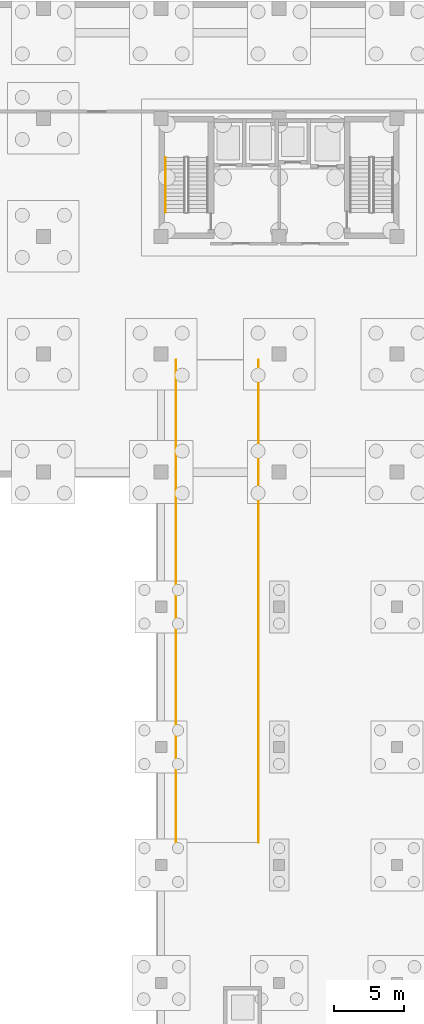
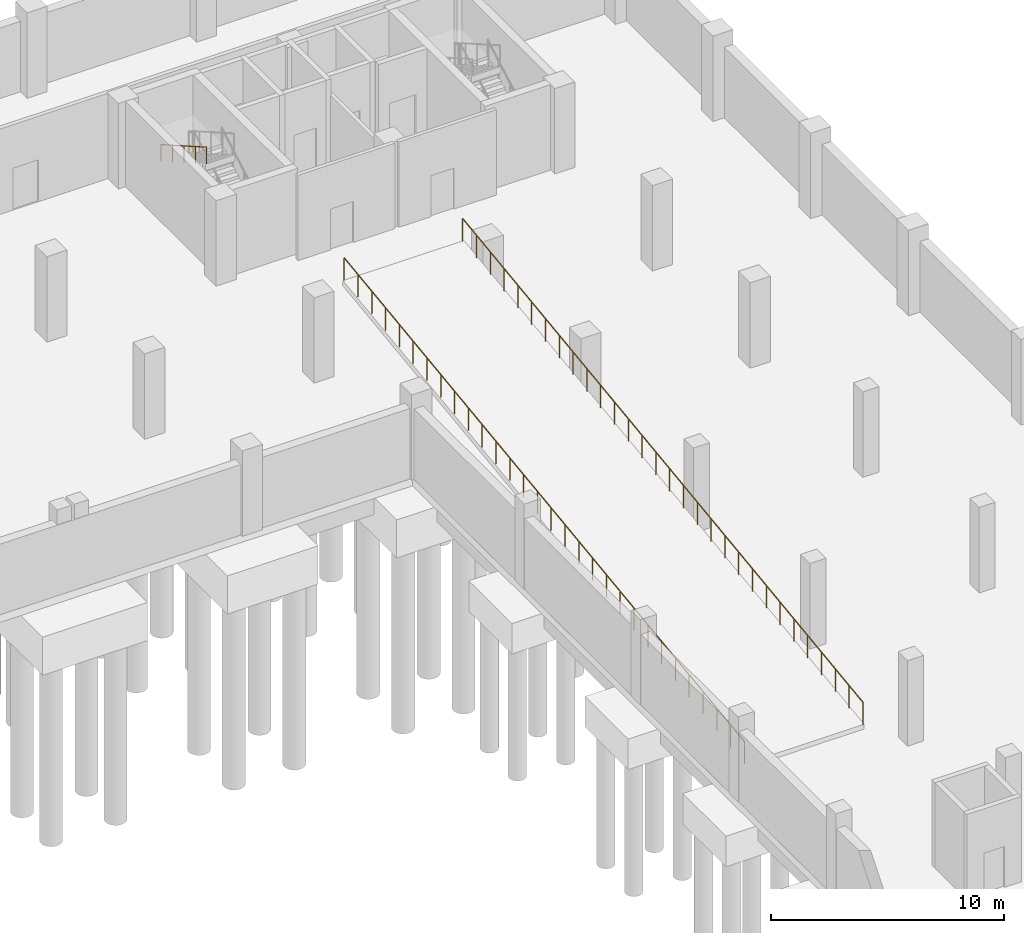
# One storey, part 16 of 18: 3 railings.
"""IFC4 building model written with IfcOpenShell, lengths in metres."""

from ifc_helpers import new_model, si_unit, direction, frame, origin, origin_2d, place, context, subcontext, project, spatial, circle, extrude, material, type_object, element, save


model = new_model("IFC4")

# Units and contexts
model_context = context("Model", 3, precision=1e-05, world=origin(), true_north=direction((0.0, 1.0)))
body_context = subcontext(model_context, "Body", "Model", "MODEL_VIEW")
ifc_project = project(units=[si_unit("LENGTHUNIT", "METRE"), si_unit("AREAUNIT", "SQUARE_METRE"), si_unit("VOLUMEUNIT", "CUBIC_METRE"), si_unit("PLANEANGLEUNIT", "RADIAN"), si_unit("MASSUNIT", "GRAM", prefix="KILO")], contexts=[model_context])

# Site, building, storey
site_placement = place(None, origin())
site = spatial("IfcSite", under=ifc_project, at=site_placement, CompositionType="ELEMENT")
building_placement = place(site_placement, origin())
building = spatial("IfcBuilding", under=site, at=building_placement, Name="Brinegate Botanical Conservatory", CompositionType="ELEMENT")
storey_placement = place(building_placement, frame((0.0, 0.0, -9.60009765625)))
storey = spatial("IfcBuildingStorey", under=building, at=storey_placement, Name="B2", CompositionType="ELEMENT", Elevation=-9.60009765625)

# Railings
ifc_material_1 = material(Name="Structural steel Q355B / S355 painted tubular guardrail", Category="steel")
railing_type_1 = type_object("IfcRailingType", Name="Rail_ST-GRD", PredefinedType="GUARDRAIL", material=ifc_material_1)
railing_1_placement = place(storey_placement, frame((139.860107421875, 86.39892578125, 4.800048828125)))
element("IfcRailing", 1, at=railing_1_placement, inside=storey, type_object=railing_type_1, Name="Vehicle ramp VR-02 west guardrail", PredefinedType="GUARDRAIL", context=body_context, shape_type="SweptSolid", body=[
    extrude(circle(Radius=0.02392578125, at=origin_2d()), frame((0.0, 0.0, 1.17578125), z_axis=(0.0, -0.991496303019, -0.130134857356), x_axis=(1.0, 0.0, 0.0)), (0.0, 0.0, 1.0), 34.69384765625),
    extrude(circle(Radius=0.02099609375, at=origin_2d()), origin(), (0.0, 0.0, 1.0), 1.15185546875),
    extrude(circle(Radius=0.02099609375, at=origin_2d()), frame((0.0, -1.186279296875, -0.15576171875)), (0.0, 0.0, 1.0), 1.15185546875),
    extrude(circle(Radius=0.02099609375, at=origin_2d()), frame((0.0, -2.372314453125, -0.311279296875)), (0.0, 0.0, 1.0), 1.15185546875),
    extrude(circle(Radius=0.02099609375, at=origin_2d()), frame((0.0, -3.55859375, -0.467041015625)), (0.0, 0.0, 1.0), 1.15185546875),
    extrude(circle(Radius=0.02099609375, at=origin_2d()), frame((0.0, -4.74462890625, -0.622802734375)), (0.0, 0.0, 1.0), 1.15185546875),
    extrude(circle(Radius=0.02099609375, at=origin_2d()), frame((0.0, -5.930908203125, -0.7783203125)), (0.0, 0.0, 1.0), 1.15185546875),
    extrude(circle(Radius=0.02099609375, at=origin_2d()), frame((0.0, -7.116943359375, -0.93408203125)), (0.0, 0.0, 1.0), 1.15185546875),
    extrude(circle(Radius=0.02099609375, at=origin_2d()), frame((0.0, -8.30322265625, -1.08984375)), (0.0, 0.0, 1.0), 1.15185546875),
    extrude(circle(Radius=0.02099609375, at=origin_2d()), frame((0.0, -9.4892578125, -1.24560546875)), (0.0, 0.0, 1.0), 1.15185546875),
    extrude(circle(Radius=0.02099609375, at=origin_2d()), frame((0.0, -10.675537109375, -1.401123046875)), (0.0, 0.0, 1.0), 1.15185546875),
    extrude(circle(Radius=0.02099609375, at=origin_2d()), frame((0.0, -11.86181640625, -1.556884765625)), (0.0, 0.0, 1.0), 1.15185546875),
    extrude(circle(Radius=0.02099609375, at=origin_2d()), frame((0.0, -13.0478515625, -1.712646484375)), (0.0, 0.0, 1.0), 1.15185546875),
    extrude(circle(Radius=0.02099609375, at=origin_2d()), frame((0.0, -14.234130859375, -1.8681640625)), (0.0, 0.0, 1.0), 1.15185546875),
    extrude(circle(Radius=0.02099609375, at=origin_2d()), frame((0.0, -15.420166015625, -2.02392578125)), (0.0, 0.0, 1.0), 1.15185546875),
    extrude(circle(Radius=0.02099609375, at=origin_2d()), frame((0.0, -16.6064453125, -2.1796875)), (0.0, 0.0, 1.0), 1.15185546875),
    extrude(circle(Radius=0.02099609375, at=origin_2d()), frame((0.0, -17.79248046875, -2.335205078125)), (0.0, 0.0, 1.0), 1.15185546875),
    extrude(circle(Radius=0.02099609375, at=origin_2d()), frame((0.0, -18.978759765625, -2.490966796875)), (0.0, 0.0, 1.0), 1.15185546875),
    extrude(circle(Radius=0.02099609375, at=origin_2d()), frame((0.0, -20.164794921875, -2.646728515625)), (0.0, 0.0, 1.0), 1.15185546875),
    extrude(circle(Radius=0.02099609375, at=origin_2d()), frame((0.0, -21.35107421875, -2.80224609375)), (0.0, 0.0, 1.0), 1.15185546875),
    extrude(circle(Radius=0.02099609375, at=origin_2d()), frame((0.0, -22.537109375, -2.9580078125)), (0.0, 0.0, 1.0), 1.15185546875),
    extrude(circle(Radius=0.02099609375, at=origin_2d()), frame((0.0, -23.723388671875, -3.11376953125)), (0.0, 0.0, 1.0), 1.15185546875),
    extrude(circle(Radius=0.02099609375, at=origin_2d()), frame((0.0, -24.90966796875, -3.269287109375)), (0.0, 0.0, 1.0), 1.15185546875),
    extrude(circle(Radius=0.02099609375, at=origin_2d()), frame((0.0, -26.095703125, -3.425048828125)), (0.0, 0.0, 1.0), 1.15185546875),
    extrude(circle(Radius=0.02099609375, at=origin_2d()), frame((0.0, -27.281982421875, -3.580810546875)), (0.0, 0.0, 1.0), 1.15185546875),
    extrude(circle(Radius=0.02099609375, at=origin_2d()), frame((0.0, -28.468017578125, -3.736572265625)), (0.0, 0.0, 1.0), 1.15185546875),
    extrude(circle(Radius=0.02099609375, at=origin_2d()), frame((0.0, -29.654296875, -3.89208984375)), (0.0, 0.0, 1.0), 1.15185546875),
    extrude(circle(Radius=0.02099609375, at=origin_2d()), frame((0.0, -30.84033203125, -4.0478515625)), (0.0, 0.0, 1.0), 1.15185546875),
    extrude(circle(Radius=0.02099609375, at=origin_2d()), frame((0.0, -32.026611328125, -4.20361328125)), (0.0, 0.0, 1.0), 1.15185546875),
    extrude(circle(Radius=0.02099609375, at=origin_2d()), frame((0.0, -33.212646484375, -4.359130859375)), (0.0, 0.0, 1.0), 1.15185546875),
    extrude(circle(Radius=0.02099609375, at=origin_2d()), frame((0.0, -34.39892578125, -4.514892578125)), (0.0, 0.0, 1.0), 1.15185546875),
])
railing_2_placement = place(storey_placement, frame((145.739990234375, 86.39892578125, 4.800048828125)))
element("IfcRailing", 2, at=railing_2_placement, inside=storey, type_object=railing_type_1, Name="Vehicle ramp VR-02 east guardrail", PredefinedType="GUARDRAIL", context=body_context, shape_type="SweptSolid", body=[
    extrude(circle(Radius=0.02392578125, at=origin_2d()), frame((0.0, 0.0, 1.17578125), z_axis=(0.0, -0.991496303019, -0.130134857356), x_axis=(1.0, 0.0, 0.0)), (0.0, 0.0, 1.0), 34.69384765625),
    extrude(circle(Radius=0.02099609375, at=origin_2d()), origin(), (0.0, 0.0, 1.0), 1.15185546875),
    extrude(circle(Radius=0.02099609375, at=origin_2d()), frame((0.0, -1.186279296875, -0.15576171875)), (0.0, 0.0, 1.0), 1.15185546875),
    extrude(circle(Radius=0.02099609375, at=origin_2d()), frame((0.0, -2.372314453125, -0.311279296875)), (0.0, 0.0, 1.0), 1.15185546875),
    extrude(circle(Radius=0.02099609375, at=origin_2d()), frame((0.0, -3.55859375, -0.467041015625)), (0.0, 0.0, 1.0), 1.15185546875),
    extrude(circle(Radius=0.02099609375, at=origin_2d()), frame((0.0, -4.74462890625, -0.622802734375)), (0.0, 0.0, 1.0), 1.15185546875),
    extrude(circle(Radius=0.02099609375, at=origin_2d()), frame((0.0, -5.930908203125, -0.7783203125)), (0.0, 0.0, 1.0), 1.15185546875),
    extrude(circle(Radius=0.02099609375, at=origin_2d()), frame((0.0, -7.116943359375, -0.93408203125)), (0.0, 0.0, 1.0), 1.15185546875),
    extrude(circle(Radius=0.02099609375, at=origin_2d()), frame((0.0, -8.30322265625, -1.08984375)), (0.0, 0.0, 1.0), 1.15185546875),
    extrude(circle(Radius=0.02099609375, at=origin_2d()), frame((0.0, -9.4892578125, -1.24560546875)), (0.0, 0.0, 1.0), 1.15185546875),
    extrude(circle(Radius=0.02099609375, at=origin_2d()), frame((0.0, -10.675537109375, -1.401123046875)), (0.0, 0.0, 1.0), 1.15185546875),
    extrude(circle(Radius=0.02099609375, at=origin_2d()), frame((0.0, -11.86181640625, -1.556884765625)), (0.0, 0.0, 1.0), 1.15185546875),
    extrude(circle(Radius=0.02099609375, at=origin_2d()), frame((0.0, -13.0478515625, -1.712646484375)), (0.0, 0.0, 1.0), 1.15185546875),
    extrude(circle(Radius=0.02099609375, at=origin_2d()), frame((0.0, -14.234130859375, -1.8681640625)), (0.0, 0.0, 1.0), 1.15185546875),
    extrude(circle(Radius=0.02099609375, at=origin_2d()), frame((0.0, -15.420166015625, -2.02392578125)), (0.0, 0.0, 1.0), 1.15185546875),
    extrude(circle(Radius=0.02099609375, at=origin_2d()), frame((0.0, -16.6064453125, -2.1796875)), (0.0, 0.0, 1.0), 1.15185546875),
    extrude(circle(Radius=0.02099609375, at=origin_2d()), frame((0.0, -17.79248046875, -2.335205078125)), (0.0, 0.0, 1.0), 1.15185546875),
    extrude(circle(Radius=0.02099609375, at=origin_2d()), frame((0.0, -18.978759765625, -2.490966796875)), (0.0, 0.0, 1.0), 1.15185546875),
    extrude(circle(Radius=0.02099609375, at=origin_2d()), frame((0.0, -20.164794921875, -2.646728515625)), (0.0, 0.0, 1.0), 1.15185546875),
    extrude(circle(Radius=0.02099609375, at=origin_2d()), frame((0.0, -21.35107421875, -2.80224609375)), (0.0, 0.0, 1.0), 1.15185546875),
    extrude(circle(Radius=0.02099609375, at=origin_2d()), frame((0.0, -22.537109375, -2.9580078125)), (0.0, 0.0, 1.0), 1.15185546875),
    extrude(circle(Radius=0.02099609375, at=origin_2d()), frame((0.0, -23.723388671875, -3.11376953125)), (0.0, 0.0, 1.0), 1.15185546875),
    extrude(circle(Radius=0.02099609375, at=origin_2d()), frame((0.0, -24.90966796875, -3.269287109375)), (0.0, 0.0, 1.0), 1.15185546875),
    extrude(circle(Radius=0.02099609375, at=origin_2d()), frame((0.0, -26.095703125, -3.425048828125)), (0.0, 0.0, 1.0), 1.15185546875),
    extrude(circle(Radius=0.02099609375, at=origin_2d()), frame((0.0, -27.281982421875, -3.580810546875)), (0.0, 0.0, 1.0), 1.15185546875),
    extrude(circle(Radius=0.02099609375, at=origin_2d()), frame((0.0, -28.468017578125, -3.736572265625)), (0.0, 0.0, 1.0), 1.15185546875),
    extrude(circle(Radius=0.02099609375, at=origin_2d()), frame((0.0, -29.654296875, -3.89208984375)), (0.0, 0.0, 1.0), 1.15185546875),
    extrude(circle(Radius=0.02099609375, at=origin_2d()), frame((0.0, -30.84033203125, -4.0478515625)), (0.0, 0.0, 1.0), 1.15185546875),
    extrude(circle(Radius=0.02099609375, at=origin_2d()), frame((0.0, -32.026611328125, -4.20361328125)), (0.0, 0.0, 1.0), 1.15185546875),
    extrude(circle(Radius=0.02099609375, at=origin_2d()), frame((0.0, -33.212646484375, -4.359130859375)), (0.0, 0.0, 1.0), 1.15185546875),
    extrude(circle(Radius=0.02099609375, at=origin_2d()), frame((0.0, -34.39892578125, -4.514892578125)), (0.0, 0.0, 1.0), 1.15185546875),
])
ifc_material_2 = material(Name="Brushed stainless steel S355 handrail", Category="steel")
railing_type_2 = type_object("IfcRailingType", Name="Rail_ST-HND", PredefinedType="HANDRAIL", material=ifc_material_2)
railing_3_placement = place(storey_placement, frame((139.10009765625, 100.820068359375, 2.56005859375)))
element("IfcRailing", 3, at=railing_3_placement, inside=storey, type_object=railing_type_2, Name="B2 ST1 stair handrail 2", PredefinedType="HANDRAIL", context=body_context, shape_type="SweptSolid", body=[
    extrude(circle(Radius=0.02392578125, at=origin_2d()), frame((0.0, 0.0, 0.8759765625), z_axis=(0.0, -0.86825312469, 0.496121468458), x_axis=(1.0, 0.0, 0.0)), (0.0, 0.0, 1.0), 4.514892578125),
    extrude(circle(Radius=0.02099609375, at=origin_2d()), origin(), (0.0, 0.0, 1.0), 0.851806640625),
    extrude(circle(Radius=0.02099609375, at=origin_2d()), frame((0.0, -0.97998046875, 0.56005859375)), (0.0, 0.0, 1.0), 0.851806640625),
    extrude(circle(Radius=0.02099609375, at=origin_2d()), frame((0.0, -1.9599609375, 1.1201171875)), (0.0, 0.0, 1.0), 0.851806640625),
    extrude(circle(Radius=0.02099609375, at=origin_2d()), frame((0.0, -2.940185546875, 1.679931640625)), (0.0, 0.0, 1.0), 0.851806640625),
    extrude(circle(Radius=0.02099609375, at=origin_2d()), frame((0.0, -3.920166015625, 2.239990234375)), (0.0, 0.0, 1.0), 0.851806640625),
])

save(model, "model.ifc")
